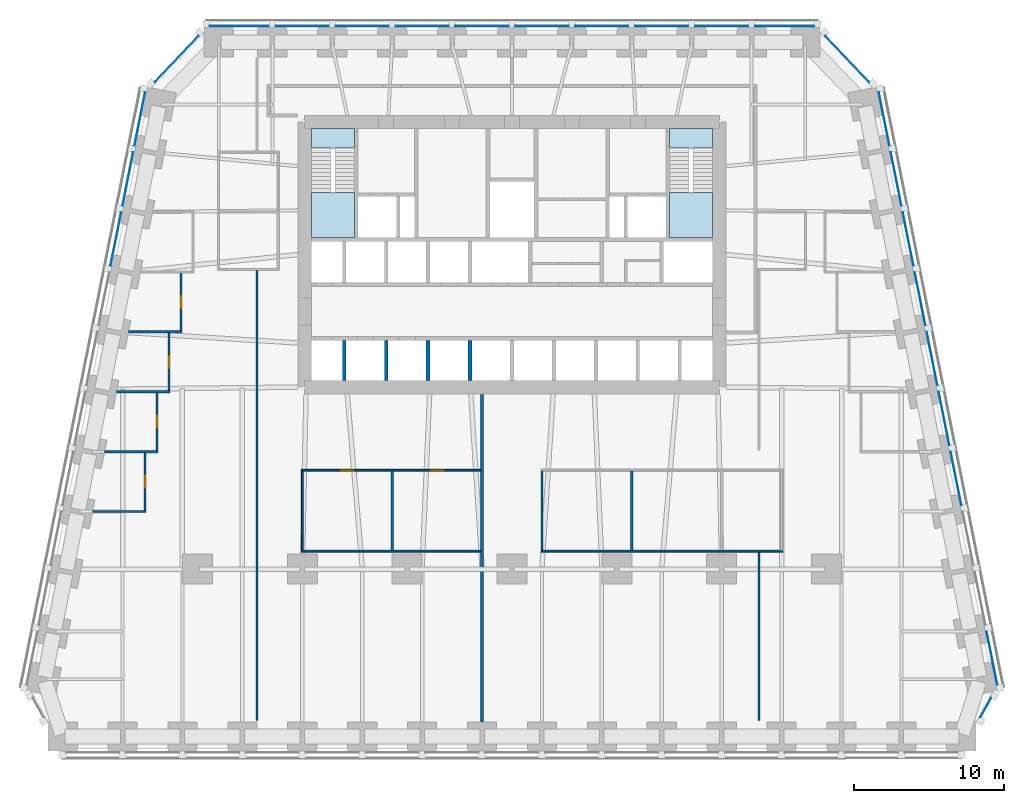
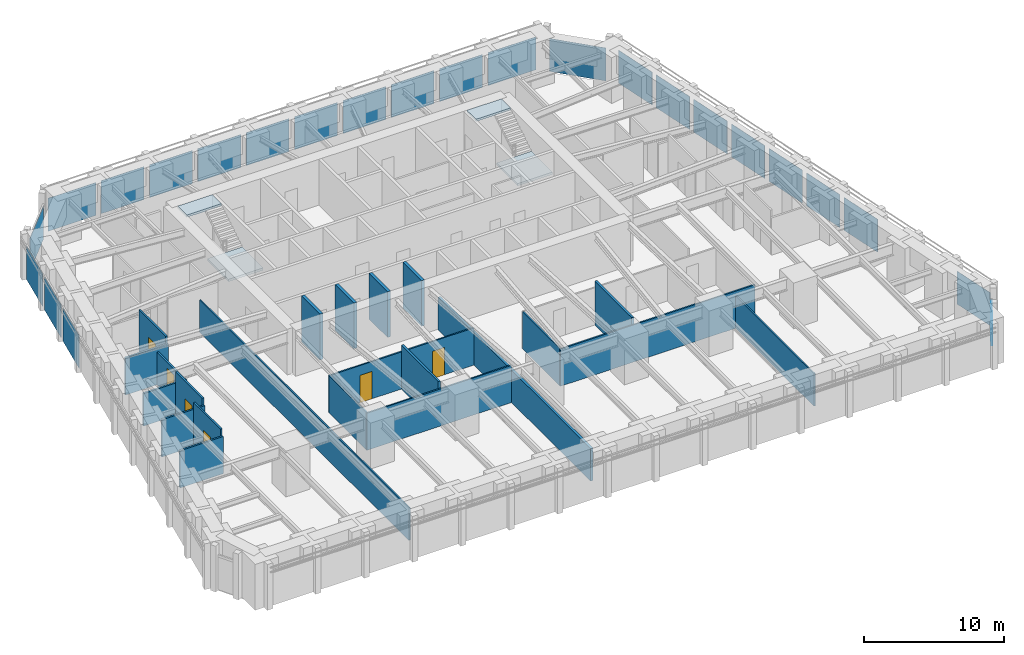
# One storey, part 5 of 10: 24 plates, 22 walls, 6 doors, 4 slabs, 6 openings, 8 elements without a shape of their own.
"""IFC4 building model written with IfcOpenShell, lengths in metres."""

from ifc_helpers import new_model, si_unit, direction, frame, frame_2d, origin, origin_2d, place, context, subcontext, project, spatial, polyline, rectangle, outline, extrude, material, layer, layer_set, type_object, element, fill, aggregate, save


model = new_model("IFC4")

# Units and contexts
model_context = context("Model", 3, precision=1e-05, world=origin(), true_north=direction((0.0, 1.0)))
body_context = subcontext(model_context, "Body", "Model", "MODEL_VIEW")
ifc_project = project(units=[si_unit("LENGTHUNIT", "METRE"), si_unit("AREAUNIT", "SQUARE_METRE"), si_unit("VOLUMEUNIT", "CUBIC_METRE"), si_unit("PLANEANGLEUNIT", "RADIAN"), si_unit("MASSUNIT", "GRAM", prefix="KILO")], contexts=[model_context])

# Site, building, storey
site_placement = place(None, origin())
site = spatial("IfcSite", under=ifc_project, at=site_placement, CompositionType="ELEMENT")
building_placement = place(site_placement, origin())
building = spatial("IfcBuilding", under=site, at=building_placement, Name="Isbrekke Arena Tower", CompositionType="ELEMENT")
storey_placement = place(building_placement, frame((0.0, 0.0, 60.0)))
storey = spatial("IfcBuildingStorey", under=building, at=storey_placement, Name="L12", CompositionType="ELEMENT", Elevation=60.0)

# Curtain wall, plate
ifc_material_1 = material(Name="Glazed aluminium curtain wall", Category="aluminium")
curtain_wall_type = type_object("IfcCurtainWallType", Name="CWL TOWER CURTAIN WALL LOW ZONE", PredefinedType="USERDEFINED", material=ifc_material_1)
curtain_wall_1_placement = place(storey_placement, origin())
curtain_wall_1 = element("IfcCurtainWall", 1, at=curtain_wall_1_placement, inside=storey, type_object=curtain_wall_type, Name="CWL curtain wall L12-SE", ObjectType="TOWER CURTAIN WALL LOW ZONE", PredefinedType="USERDEFINED")
ifc_material_2 = material(Name="Triple-glazed clear glass unit", Category="glass")
ifc_layer_1 = layer(ifc_material_2, 0.031982421875)
ifc_layer_set_1 = layer_set([ifc_layer_1], Name="CWL-P VISION PANEL")
plate_type = type_object("IfcPlateType", Name="CWL-P VISION PANEL", PredefinedType="CURTAIN_PANEL", material=ifc_layer_set_1)
plate_1_placement = place(storey_placement, frame((31.62744140625, -15.24853515625, 0.02001953125), z_axis=(0.0, 0.0, 1.0), x_axis=(0.481918749773, 0.876215908676, 0.0)))
plate_1 = element("IfcPlate", 2, at=plate_1_placement, type_object=plate_type, Name="CWL-P panel 1", PredefinedType="CURTAIN_PANEL", context=body_context, shape_type="SweptSolid", body=[
    extrude(rectangle(XDim=1.453369140625, YDim=0.031982421875, at=origin_2d()), origin(), (0.0, 0.0, 1.0), 2.8798828125),
])
aggregate(curtain_wall_1, [plate_1])

# Curtain wall, plates
curtain_wall_2_placement = place(storey_placement, origin())
curtain_wall_2 = element("IfcCurtainWall", 3, at=curtain_wall_2_placement, inside=storey, type_object=curtain_wall_type, Name="CWL curtain wall L12-E", ObjectType="TOWER CURTAIN WALL LOW ZONE", PredefinedType="USERDEFINED")
plate_2_placement = place(storey_placement, frame((32.045166015625, -11.950927734375, 0.02001953125), z_axis=(0.0, 0.0, 1.0), x_axis=(-0.196116135138, 0.980580675691, 0.0)))
plate_2 = element("IfcPlate", 4, at=plate_2_placement, type_object=plate_type, Name="CWL-P panel 1", PredefinedType="CURTAIN_PANEL", context=body_context, shape_type="SweptSolid", body=[
    extrude(rectangle(XDim=3.629150390625, YDim=0.031982421875, at=origin_2d()), origin(), (0.0, 0.0, 1.0), 2.8798828125),
])
plate_3_placement = place(storey_placement, frame((29.645263671875, 0.049072265625, 0.02001953125), z_axis=(0.0, 0.0, 1.0), x_axis=(-0.196116135138, 0.980580675691, 0.0)))
plate_3 = element("IfcPlate", 5, at=plate_3_placement, type_object=plate_type, Name="CWL-P panel 4", PredefinedType="CURTAIN_PANEL", context=body_context, shape_type="SweptSolid", body=[
    extrude(rectangle(XDim=3.629150390625, YDim=0.031982421875, at=origin_2d()), origin(), (0.0, 0.0, 1.0), 2.8798828125),
])
plate_4_placement = place(storey_placement, frame((28.84521484375, 4.049072265625, 0.02001953125), z_axis=(0.0, 0.0, 1.0), x_axis=(-0.196116135138, 0.980580675691, 0.0)))
plate_4 = element("IfcPlate", 6, at=plate_4_placement, type_object=plate_type, Name="CWL-P panel 5", PredefinedType="CURTAIN_PANEL", context=body_context, shape_type="SweptSolid", body=[
    extrude(rectangle(XDim=3.629150390625, YDim=0.031982421875, at=origin_2d()), origin(), (0.0, 0.0, 1.0), 2.8798828125),
])
plate_5_placement = place(storey_placement, frame((28.045166015625, 8.049072265625, 0.02001953125), z_axis=(0.0, 0.0, 1.0), x_axis=(-0.196116135138, 0.980580675691, 0.0)))
plate_5 = element("IfcPlate", 7, at=plate_5_placement, type_object=plate_type, Name="CWL-P panel 6", PredefinedType="CURTAIN_PANEL", context=body_context, shape_type="SweptSolid", body=[
    extrude(rectangle(XDim=3.629150390625, YDim=0.031982421875, at=origin_2d()), origin(), (0.0, 0.0, 1.0), 2.8798828125),
])
plate_6_placement = place(storey_placement, frame((27.2451171875, 12.049072265625, 0.02001953125), z_axis=(0.0, 0.0, 1.0), x_axis=(-0.196116135138, 0.980580675691, 0.0)))
plate_6 = element("IfcPlate", 8, at=plate_6_placement, type_object=plate_type, Name="CWL-P panel 7", PredefinedType="CURTAIN_PANEL", context=body_context, shape_type="SweptSolid", body=[
    extrude(rectangle(XDim=3.629150390625, YDim=0.031982421875, at=origin_2d()), origin(), (0.0, 0.0, 1.0), 2.8798828125),
])
plate_7_placement = place(storey_placement, frame((26.445068359375, 16.049072265625, 0.02001953125), z_axis=(0.0, 0.0, 1.0), x_axis=(-0.196116135138, 0.980580675691, 0.0)))
plate_7 = element("IfcPlate", 9, at=plate_7_placement, type_object=plate_type, Name="CWL-P panel 8", PredefinedType="CURTAIN_PANEL", context=body_context, shape_type="SweptSolid", body=[
    extrude(rectangle(XDim=3.629150390625, YDim=0.031982421875, at=origin_2d()), origin(), (0.0, 0.0, 1.0), 2.8798828125),
])
plate_8_placement = place(storey_placement, frame((25.645263671875, 20.049072265625, 0.02001953125), z_axis=(0.0, 0.0, 1.0), x_axis=(-0.196116135138, 0.980580675691, 0.0)))
plate_8 = element("IfcPlate", 10, at=plate_8_placement, type_object=plate_type, Name="CWL-P panel 9", PredefinedType="CURTAIN_PANEL", context=body_context, shape_type="SweptSolid", body=[
    extrude(rectangle(XDim=3.629150390625, YDim=0.031982421875, at=origin_2d()), origin(), (0.0, 0.0, 1.0), 2.8798828125),
])
plate_9_placement = place(storey_placement, frame((24.84521484375, 24.049072265625, 0.02001953125), z_axis=(0.0, 0.0, 1.0), x_axis=(-0.196116135138, 0.980580675691, 0.0)))
plate_9 = element("IfcPlate", 11, at=plate_9_placement, type_object=plate_type, Name="CWL-P panel 10", PredefinedType="CURTAIN_PANEL", context=body_context, shape_type="SweptSolid", body=[
    extrude(rectangle(XDim=3.629150390625, YDim=0.031982421875, at=origin_2d()), origin(), (0.0, 0.0, 1.0), 2.8798828125),
])
aggregate(curtain_wall_2, [plate_2, plate_3, plate_4, plate_5, plate_6, plate_7, plate_8, plate_9])

# Curtain wall, plate
curtain_wall_3_placement = place(storey_placement, origin())
curtain_wall_3 = element("IfcCurtainWall", 12, at=curtain_wall_3_placement, inside=storey, type_object=curtain_wall_type, Name="CWL curtain wall L12-EN", ObjectType="TOWER CURTAIN WALL LOW ZONE", PredefinedType="USERDEFINED")
plate_10_placement = place(storey_placement, frame((22.386474609375, 28.05419921875, 0.02001953125), z_axis=(0.0, 0.0, 1.0), x_axis=(-0.68874946192, 0.72499943359, 0.0)))
plate_10 = element("IfcPlate", 13, at=plate_10_placement, type_object=plate_type, Name="CWL-P panel 1", PredefinedType="CURTAIN_PANEL", context=body_context, shape_type="SweptSolid", body=[
    extrude(rectangle(XDim=4.22900390625, YDim=0.031982421875, at=origin_2d()), origin(), (0.0, 0.0, 1.0), 2.8798828125),
])
aggregate(curtain_wall_3, [plate_10])

# Curtain wall, plates
curtain_wall_4_placement = place(storey_placement, origin())
curtain_wall_4 = element("IfcCurtainWall", 14, at=curtain_wall_4_placement, inside=storey, type_object=curtain_wall_type, Name="CWL curtain wall L12-N", ObjectType="TOWER CURTAIN WALL LOW ZONE", PredefinedType="USERDEFINED")
plate_11_placement = place(storey_placement, frame((18.199951171875, 30.25, 0.02001953125), z_axis=(0.0, 0.0, 1.0), x_axis=(-1.0, 0.0, 0.0)))
plate_11 = element("IfcPlate", 15, at=plate_11_placement, type_object=plate_type, Name="CWL-P panel 1", PredefinedType="CURTAIN_PANEL", context=body_context, shape_type="SweptSolid", body=[
    extrude(rectangle(XDim=3.949951171875, YDim=0.031982421875, at=origin_2d()), origin(), (0.0, 0.0, 1.0), 2.8798828125),
])
plate_12_placement = place(storey_placement, frame((14.0, 30.25, 0.02001953125), z_axis=(0.0, 0.0, 1.0), x_axis=(-1.0, 0.0, 0.0)))
plate_12 = element("IfcPlate", 16, at=plate_12_placement, type_object=plate_type, Name="CWL-P panel 2", PredefinedType="CURTAIN_PANEL", context=body_context, shape_type="SweptSolid", body=[
    extrude(rectangle(XDim=3.550048828125, YDim=0.031982421875, at=origin_2d()), origin(), (0.0, 0.0, 1.0), 2.8798828125),
])
plate_13_placement = place(storey_placement, frame((10.0, 30.25, 0.02001953125), z_axis=(0.0, 0.0, 1.0), x_axis=(-1.0, 0.0, 0.0)))
plate_13 = element("IfcPlate", 17, at=plate_13_placement, type_object=plate_type, Name="CWL-P panel 3", PredefinedType="CURTAIN_PANEL", context=body_context, shape_type="SweptSolid", body=[
    extrude(rectangle(XDim=3.550048828125, YDim=0.031982421875, at=origin_2d()), origin(), (0.0, 0.0, 1.0), 2.8798828125),
])
plate_14_placement = place(storey_placement, frame((6.0, 30.25, 0.02001953125), z_axis=(0.0, 0.0, 1.0), x_axis=(-1.0, 0.0, 0.0)))
plate_14 = element("IfcPlate", 18, at=plate_14_placement, type_object=plate_type, Name="CWL-P panel 4", PredefinedType="CURTAIN_PANEL", context=body_context, shape_type="SweptSolid", body=[
    extrude(rectangle(XDim=3.550048828125, YDim=0.031982421875, at=origin_2d()), origin(), (0.0, 0.0, 1.0), 2.8798828125),
])
plate_15_placement = place(storey_placement, frame((2.0, 30.25, 0.02001953125), z_axis=(0.0, 0.0, 1.0), x_axis=(-1.0, 0.0, 0.0)))
plate_15 = element("IfcPlate", 19, at=plate_15_placement, type_object=plate_type, Name="CWL-P panel 5", PredefinedType="CURTAIN_PANEL", context=body_context, shape_type="SweptSolid", body=[
    extrude(rectangle(XDim=3.550048828125, YDim=0.031982421875, at=origin_2d()), origin(), (0.0, 0.0, 1.0), 2.8798828125),
])
plate_16_placement = place(storey_placement, frame((-2.0, 30.25, 0.02001953125), z_axis=(0.0, 0.0, 1.0), x_axis=(-1.0, 0.0, 0.0)))
plate_16 = element("IfcPlate", 20, at=plate_16_placement, type_object=plate_type, Name="CWL-P panel 6", PredefinedType="CURTAIN_PANEL", context=body_context, shape_type="SweptSolid", body=[
    extrude(rectangle(XDim=3.550048828125, YDim=0.031982421875, at=origin_2d()), origin(), (0.0, 0.0, 1.0), 2.8798828125),
])
plate_17_placement = place(storey_placement, frame((-6.0, 30.25, 0.02001953125), z_axis=(0.0, 0.0, 1.0), x_axis=(-1.0, 0.0, 0.0)))
plate_17 = element("IfcPlate", 21, at=plate_17_placement, type_object=plate_type, Name="CWL-P panel 7", PredefinedType="CURTAIN_PANEL", context=body_context, shape_type="SweptSolid", body=[
    extrude(rectangle(XDim=3.550048828125, YDim=0.031982421875, at=origin_2d()), origin(), (0.0, 0.0, 1.0), 2.8798828125),
])
plate_18_placement = place(storey_placement, frame((-10.0, 30.25, 0.02001953125), z_axis=(0.0, 0.0, 1.0), x_axis=(-1.0, 0.0, 0.0)))
plate_18 = element("IfcPlate", 22, at=plate_18_placement, type_object=plate_type, Name="CWL-P panel 8", PredefinedType="CURTAIN_PANEL", context=body_context, shape_type="SweptSolid", body=[
    extrude(rectangle(XDim=3.550048828125, YDim=0.031982421875, at=origin_2d()), origin(), (0.0, 0.0, 1.0), 2.8798828125),
])
plate_19_placement = place(storey_placement, frame((-14.0, 30.25, 0.02001953125), z_axis=(0.0, 0.0, 1.0), x_axis=(-1.0, 0.0, 0.0)))
plate_19 = element("IfcPlate", 23, at=plate_19_placement, type_object=plate_type, Name="CWL-P panel 9", PredefinedType="CURTAIN_PANEL", context=body_context, shape_type="SweptSolid", body=[
    extrude(rectangle(XDim=3.550048828125, YDim=0.031982421875, at=origin_2d()), origin(), (0.0, 0.0, 1.0), 2.8798828125),
])
plate_20_placement = place(storey_placement, frame((-18.199951171875, 30.25, 0.02001953125), z_axis=(0.0, 0.0, 1.0), x_axis=(-1.0, 0.0, 0.0)))
plate_20 = element("IfcPlate", 24, at=plate_20_placement, type_object=plate_type, Name="CWL-P panel 10", PredefinedType="CURTAIN_PANEL", context=body_context, shape_type="SweptSolid", body=[
    extrude(rectangle(XDim=3.949951171875, YDim=0.031982421875, at=origin_2d()), origin(), (0.0, 0.0, 1.0), 2.8798828125),
])
aggregate(curtain_wall_4, [plate_11, plate_12, plate_13, plate_14, plate_15, plate_16, plate_17, plate_18, plate_19, plate_20])

# Curtain wall, plate
curtain_wall_5_placement = place(storey_placement, origin())
curtain_wall_5 = element("IfcCurtainWall", 25, at=curtain_wall_5_placement, inside=storey, type_object=curtain_wall_type, Name="CWL curtain wall L12-NW", ObjectType="TOWER CURTAIN WALL LOW ZONE", PredefinedType="USERDEFINED")
plate_21_placement = place(storey_placement, frame((-22.38623046875, 28.054443359375, 0.02001953125), z_axis=(0.0, 0.0, 1.0), x_axis=(-0.68874946192, -0.72499943359, 0.0)))
plate_21 = element("IfcPlate", 26, at=plate_21_placement, type_object=plate_type, Name="CWL-P panel 1", PredefinedType="CURTAIN_PANEL", context=body_context, shape_type="SweptSolid", body=[
    extrude(rectangle(XDim=4.22802734375, YDim=0.031982421875, at=origin_2d()), origin(), (0.0, 0.0, 1.0), 2.8798828125),
])
aggregate(curtain_wall_5, [plate_21])

# Curtain wall, plates
curtain_wall_6_placement = place(storey_placement, origin())
curtain_wall_6 = element("IfcCurtainWall", 27, at=curtain_wall_6_placement, inside=storey, type_object=curtain_wall_type, Name="CWL curtain wall L12-W", ObjectType="TOWER CURTAIN WALL LOW ZONE", PredefinedType="USERDEFINED")
plate_22_placement = place(storey_placement, frame((-24.84521484375, 24.049072265625, 0.02001953125), z_axis=(0.0, 0.0, 1.0), x_axis=(-0.196116135138, -0.980580675691, 0.0)))
plate_22 = element("IfcPlate", 28, at=plate_22_placement, type_object=plate_type, Name="CWL-P panel 1", PredefinedType="CURTAIN_PANEL", context=body_context, shape_type="SweptSolid", body=[
    extrude(rectangle(XDim=3.629150390625, YDim=0.031982421875, at=origin_2d()), origin(), (0.0, 0.0, 1.0), 2.8798828125),
])
plate_23_placement = place(storey_placement, frame((-25.645263671875, 20.049072265625, 0.02001953125), z_axis=(0.0, 0.0, 1.0), x_axis=(-0.196116135138, -0.980580675691, 0.0)))
plate_23 = element("IfcPlate", 29, at=plate_23_placement, type_object=plate_type, Name="CWL-P panel 2", PredefinedType="CURTAIN_PANEL", context=body_context, shape_type="SweptSolid", body=[
    extrude(rectangle(XDim=3.629150390625, YDim=0.031982421875, at=origin_2d()), origin(), (0.0, 0.0, 1.0), 2.8798828125),
])
plate_24_placement = place(storey_placement, frame((-26.445068359375, 16.049072265625, 0.02001953125), z_axis=(0.0, 0.0, 1.0), x_axis=(-0.196116135138, -0.980580675691, 0.0)))
plate_24 = element("IfcPlate", 30, at=plate_24_placement, type_object=plate_type, Name="CWL-P panel 3", PredefinedType="CURTAIN_PANEL", context=body_context, shape_type="SweptSolid", body=[
    extrude(rectangle(XDim=3.629150390625, YDim=0.031982421875, at=origin_2d()), origin(), (0.0, 0.0, 1.0), 2.8798828125),
])
aggregate(curtain_wall_6, [plate_22, plate_23, plate_24])

# Stair, slabs
ifc_material_3 = material(Name="Concrete B45 (C45/55) precast", Category="concrete")
stair_type = type_object("IfcStairType", Name="ST40 STAIR 1300 WIDE, 24 RISERS 167", PredefinedType="HALF_TURN_STAIR", material=ifc_material_3)
stair_1_placement = place(storey_placement, origin())
stair_1 = element("IfcStair", 31, at=stair_1_placement, inside=storey, type_object=stair_type, Name="ST1 stair L12", PredefinedType="HALF_TURN_STAIR")
ifc_material_4 = material(Name="Concrete B35 (C35/45)", Category="concrete")
ifc_layer_2 = layer(ifc_material_4, 0.199951171875)
ifc_layer_set_2 = layer_set([ifc_layer_2], Name="SL1 STAIR LANDING 200")
slab_type = type_object("IfcSlabType", Name="SL1 STAIR LANDING 200", PredefinedType="LANDING", material=ifc_layer_set_2)
slab_1_placement = place(storey_placement, frame((0.0, 0.0, 1.800048828125)))
slab_1 = element("IfcSlab", 32, at=slab_1_placement, type_object=slab_type, Name="ST1 landing 1", PredefinedType="LANDING", context=body_context, shape_type="SweptSolid", body=[
    extrude(outline(polyline([(-13.39990234375, 16.125), (-10.52490234375, 16.125), (-10.52490234375, 19.1298828125), (-13.39990234375, 19.1298828125), (-13.39990234375, 16.125)])), origin(), (0.0, 0.0, 1.0), 0.199951171875),
])
slab_2_placement = place(storey_placement, frame((0.0, 0.0, 3.800048828125)))
slab_2 = element("IfcSlab", 33, at=slab_2_placement, type_object=slab_type, Name="ST1 landing 2", PredefinedType="LANDING", context=body_context, shape_type="SweptSolid", body=[
    extrude(outline(polyline([(-13.39990234375, 22.10009765625), (-10.52490234375, 22.10009765625), (-10.52490234375, 23.39990234375), (-13.39990234375, 23.39990234375), (-13.39990234375, 22.10009765625)])), origin(), (0.0, 0.0, 1.0), 0.199951171875),
])
aggregate(stair_1, [slab_1, slab_2])

stair_2_placement = place(storey_placement, origin())
stair_2 = element("IfcStair", 34, at=stair_2_placement, inside=storey, type_object=stair_type, Name="ST2 stair L12", PredefinedType="HALF_TURN_STAIR")
slab_3_placement = place(storey_placement, frame((0.0, 0.0, 1.800048828125)))
slab_3 = element("IfcSlab", 35, at=slab_3_placement, type_object=slab_type, Name="ST2 landing 1", PredefinedType="LANDING", context=body_context, shape_type="SweptSolid", body=[
    extrude(outline(polyline([(10.52490234375, 16.125), (13.39990234375, 16.125), (13.39990234375, 19.1298828125), (10.52490234375, 19.1298828125), (10.52490234375, 16.125)])), origin(), (0.0, 0.0, 1.0), 0.199951171875),
])
slab_4_placement = place(storey_placement, frame((0.0, 0.0, 3.800048828125)))
slab_4 = element("IfcSlab", 36, at=slab_4_placement, type_object=slab_type, Name="ST2 landing 2", PredefinedType="LANDING", context=body_context, shape_type="SweptSolid", body=[
    extrude(outline(polyline([(10.52490234375, 22.10009765625), (13.39990234375, 22.10009765625), (13.39990234375, 23.39990234375), (10.52490234375, 23.39990234375), (10.52490234375, 22.10009765625)])), origin(), (0.0, 0.0, 1.0), 0.199951171875),
])
aggregate(stair_2, [slab_3, slab_4])

# Walls
ifc_material_5 = material(Name="Concrete B45 (C45/55)", Category="concrete")
ifc_layer_3 = layer(ifc_material_5, 0.25)
ifc_layer_set_3 = layer_set([ifc_layer_3], Name="CW6 SHAFT WALL 250")
wall_type_1 = type_object("IfcWallType", Name="CW6 SHAFT WALL 250", PredefinedType="SHEAR", material=ifc_layer_set_3)
for number, where, z_axis, x_axis, name in (
    (37, (-11.199951171875, 6.60009765625, 0.0), (0.0, 0.0, 1.0), (0.0, 1.0, 0.0), "Core wall SS01 L12"),
    (38, (-8.39990234375, 6.60009765625, 0.0), (0.0, 0.0, 1.0), (0.0, 1.0, 0.0), "Core wall SS02 L12"),
    (39, (-5.60009765625, 6.60009765625, 0.0), (0.0, 0.0, 1.0), (0.0, 1.0, 0.0), "Core wall SS03 L12"),
    (40, (-2.800048828125, 6.60009765625, 0.0), (0.0, 0.0, 1.0), (0.0, 1.0, 0.0), "Core wall SS04 L12"),
):
    element("IfcWall", number, at=place(storey_placement, frame(where, z_axis=z_axis, x_axis=x_axis)), inside=storey, type_object=wall_type_1, Name=name, PredefinedType="SHEAR", context=body_context, shape_type="SweptSolid", body=[
        extrude(rectangle(XDim=2.6748046875, YDim=0.25, at=frame_2d((1.33740234375, 0.0))), origin(), (0.0, 0.0, 1.0), 4.0),
    ])
ifc_material_6 = material(Name="Gypsum board partition on steel studs", Category="steel")
ifc_layer_4 = layer(ifc_material_6, 0.14990234375)
ifc_layer_set_4 = layer_set([ifc_layer_4], Name="IW1 PARTITION 150")
wall_type_2 = type_object("IfcWallType", Name="IW1 PARTITION 150", PredefinedType="PARTITIONING", material=ifc_layer_set_4)
for number, where, z_axis, x_axis, name in (
    (41, (-27.996337890625, -2.159912109375, 0.0), (0.0, 0.0, 1.0), (1.0, 0.0, 0.0), "IW1 partition 150 L12"),
    (42, (-27.1962890625, 1.840087890625, 0.0), (0.0, 0.0, 1.0), (1.0, 0.0, 0.0), "IW1 partition 150 L12"),
):
    element("IfcWall", number, at=place(storey_placement, frame(where, z_axis=z_axis, x_axis=x_axis)), inside=storey, type_object=wall_type_2, Name=name, PredefinedType="PARTITIONING", context=body_context, shape_type="SweptSolid", body=[
        extrude(rectangle(XDim=3.5712890625, YDim=0.14990234375, at=frame_2d((1.78564453125, 0.0))), origin(), (0.0, 0.0, 1.0), 3.25),
    ])
wall_1_placement = place(storey_placement, frame((-26.396484375, 5.840087890625, 0.0), z_axis=(0.0, 0.0, 1.0), x_axis=(1.0, 0.0, 0.0)))
element("IfcWall", 43, at=wall_1_placement, inside=storey, type_object=wall_type_2, Name="IW1 partition 150 L12", PredefinedType="PARTITIONING", context=body_context, shape_type="SweptSolid", body=[
    extrude(rectangle(XDim=3.571533203125, YDim=0.14990234375, at=frame_2d((1.78564453125, 0.0))), origin(), (0.0, 0.0, 1.0), 2.842041015625),
])
wall_2_placement = place(storey_placement, frame((-25.596435546875, 9.840087890625, 0.0), z_axis=(0.0, 0.0, 1.0), x_axis=(1.0, 0.0, 0.0)))
element("IfcWall", 44, at=wall_2_placement, inside=storey, type_object=wall_type_2, Name="IW1 partition 150 L12", PredefinedType="PARTITIONING", context=body_context, shape_type="SweptSolid", body=[
    extrude(rectangle(XDim=3.571533203125, YDim=0.14990234375, at=frame_2d((1.78564453125, 0.0))), origin(), (0.0, 0.0, 1.0), 3.25),
])

# Wall, opening, door
wall_3_placement = place(storey_placement, frame((-24.5, -2.0849609375, 0.0), z_axis=(0.0, 0.0, 1.0), x_axis=(0.0, 1.0, 0.0)))
wall_3 = element("IfcWall", 45, at=wall_3_placement, inside=storey, type_object=wall_type_2, Name="IW1 partition 150 L12", PredefinedType="PARTITIONING", context=body_context, shape_type="SweptSolid", body=[
    extrude(rectangle(XDim=3.849853515625, YDim=0.14990234375, at=frame_2d((1.9248046875, 0.0))), origin(), (0.0, 0.0, 1.0), 3.85009765625),
])
opening_1_placement = place(wall_3_placement, frame((1.425048828125, 0.0, 0.0)))
opening_1 = element("IfcOpeningElement", 46, at=opening_1_placement, cuts=wall_3, Name="Opening D10", PredefinedType="OPENING", context=body_context, shape_type="SweptSolid", body=[
    extrude(rectangle(XDim=1.0, YDim=2.300048828125, at=frame_2d((0.5, 1.14990234375))), frame((0.0, 0.08984375, 0.0), z_axis=(0.0, -1.0, 0.0), x_axis=(1.0, 0.0, 0.0)), (0.0, 0.0, 1.0), 0.1796875),
])
ifc_material_7 = material(Name="Timber door", Category="wood")
door_type_1 = type_object("IfcDoorType", Name="D10 OFFICE DOOR 1000 x 2300", OperationType="SINGLE_SWING_LEFT", PredefinedType="DOOR", material=ifc_material_7)
door_1_placement = place(opening_1_placement, origin())
door_1 = element("IfcDoor", 47, at=door_1_placement, inside=storey, type_object=door_type_1, Name="D10 office door L12", OperationType="SINGLE_SWING_LEFT", OverallHeight=2.300048828125, OverallWidth=1.0, PredefinedType="DOOR", context=body_context, shape_type="SweptSolid", body=[
    extrude(rectangle(XDim=1.0, YDim=2.300048828125, at=frame_2d((0.5, 1.14990234375))), frame((0.0, 0.07470703125, 0.0), z_axis=(0.0, -1.0, 0.0), x_axis=(1.0, 0.0, 0.0)), (0.0, 0.0, 1.0), 0.1494140625),
])
fill(opening_1, door_1)

wall_4_placement = place(storey_placement, frame((-23.699951171875, 1.9150390625, 0.0), z_axis=(0.0, 0.0, 1.0), x_axis=(0.0, 1.0, 0.0)))
wall_4 = element("IfcWall", 48, at=wall_4_placement, inside=storey, type_object=wall_type_2, Name="IW1 partition 150 L12", PredefinedType="PARTITIONING", context=body_context, shape_type="SweptSolid", body=[
    extrude(rectangle(XDim=3.849853515625, YDim=0.14990234375, at=frame_2d((1.9248046875, 0.0))), origin(), (0.0, 0.0, 1.0), 3.85009765625),
])
opening_2_placement = place(wall_4_placement, frame((1.425048828125, 0.0, 0.0)))
opening_2 = element("IfcOpeningElement", 49, at=opening_2_placement, cuts=wall_4, Name="Opening D10", PredefinedType="OPENING", context=body_context, shape_type="SweptSolid", body=[
    extrude(rectangle(XDim=1.0, YDim=2.300048828125, at=frame_2d((0.5, 1.14990234375))), frame((0.0, 0.08984375, 0.0), z_axis=(0.0, -1.0, 0.0), x_axis=(1.0, 0.0, 0.0)), (0.0, 0.0, 1.0), 0.1796875),
])
door_2_placement = place(opening_2_placement, origin())
door_2 = element("IfcDoor", 50, at=door_2_placement, inside=storey, type_object=door_type_1, Name="D10 office door L12", OperationType="SINGLE_SWING_LEFT", OverallHeight=2.300048828125, OverallWidth=1.0, PredefinedType="DOOR", context=body_context, shape_type="SweptSolid", body=[
    extrude(rectangle(XDim=1.0, YDim=2.300048828125, at=frame_2d((0.5, 1.14990234375))), frame((0.0, 0.07470703125, 0.0), z_axis=(0.0, -1.0, 0.0), x_axis=(1.0, 0.0, 0.0)), (0.0, 0.0, 1.0), 0.1494140625),
])
fill(opening_2, door_2)

wall_5_placement = place(storey_placement, frame((-22.89990234375, 5.9150390625, 0.0), z_axis=(0.0, 0.0, 1.0), x_axis=(0.0, 1.0, 0.0)))
wall_5 = element("IfcWall", 51, at=wall_5_placement, inside=storey, type_object=wall_type_2, Name="IW1 partition 150 L12", PredefinedType="PARTITIONING", context=body_context, shape_type="SweptSolid", body=[
    extrude(rectangle(XDim=3.849853515625, YDim=0.14990234375, at=frame_2d((1.9248046875, 0.0))), origin(), (0.0, 0.0, 1.0), 2.842041015625),
])
opening_3_placement = place(wall_5_placement, frame((1.425048828125, 0.0, 0.0)))
opening_3 = element("IfcOpeningElement", 52, at=opening_3_placement, cuts=wall_5, Name="Opening D10", PredefinedType="OPENING", context=body_context, shape_type="SweptSolid", body=[
    extrude(rectangle(XDim=1.0, YDim=2.300048828125, at=frame_2d((0.5, 1.14990234375))), frame((0.0, 0.08984375, 0.0), z_axis=(0.0, -1.0, 0.0), x_axis=(1.0, 0.0, 0.0)), (0.0, 0.0, 1.0), 0.1796875),
])
door_3_placement = place(opening_3_placement, origin())
door_3 = element("IfcDoor", 53, at=door_3_placement, inside=storey, type_object=door_type_1, Name="D10 office door L12", OperationType="SINGLE_SWING_LEFT", OverallHeight=2.300048828125, OverallWidth=1.0, PredefinedType="DOOR", context=body_context, shape_type="SweptSolid", body=[
    extrude(rectangle(XDim=1.0, YDim=2.300048828125, at=frame_2d((0.5, 1.14990234375))), frame((0.0, 0.07470703125, 0.0), z_axis=(0.0, -1.0, 0.0), x_axis=(1.0, 0.0, 0.0)), (0.0, 0.0, 1.0), 0.1494140625),
])
fill(opening_3, door_3)

wall_6_placement = place(storey_placement, frame((-22.10009765625, 9.9150390625, 0.0), z_axis=(0.0, 0.0, 1.0), x_axis=(0.0, 1.0, 0.0)))
wall_6 = element("IfcWall", 54, at=wall_6_placement, inside=storey, type_object=wall_type_2, Name="IW1 partition 150 L12", PredefinedType="PARTITIONING", context=body_context, shape_type="SweptSolid", body=[
    extrude(rectangle(XDim=3.849853515625, YDim=0.14990234375, at=frame_2d((1.9248046875, 0.0))), origin(), (0.0, 0.0, 1.0), 3.85009765625),
])
opening_4_placement = place(wall_6_placement, frame((1.425048828125, 0.0, 0.0)))
opening_4 = element("IfcOpeningElement", 55, at=opening_4_placement, cuts=wall_6, Name="Opening D10", PredefinedType="OPENING", context=body_context, shape_type="SweptSolid", body=[
    extrude(rectangle(XDim=1.0, YDim=2.300048828125, at=frame_2d((0.5, 1.14990234375))), frame((0.0, 0.08984375, 0.0), z_axis=(0.0, -1.0, 0.0), x_axis=(1.0, 0.0, 0.0)), (0.0, 0.0, 1.0), 0.1796875),
])
door_4_placement = place(opening_4_placement, origin())
door_4 = element("IfcDoor", 56, at=door_4_placement, inside=storey, type_object=door_type_1, Name="D10 office door L12", OperationType="SINGLE_SWING_LEFT", OverallHeight=2.300048828125, OverallWidth=1.0, PredefinedType="DOOR", context=body_context, shape_type="SweptSolid", body=[
    extrude(rectangle(XDim=1.0, YDim=2.300048828125, at=frame_2d((0.5, 1.14990234375))), frame((0.0, 0.07470703125, 0.0), z_axis=(0.0, -1.0, 0.0), x_axis=(1.0, 0.0, 0.0)), (0.0, 0.0, 1.0), 0.1494140625),
])
fill(opening_4, door_4)

# Walls
ifc_material_8 = material(Name="Frameless glazed partition, laminated acoustic glass", Category="glass")
ifc_layer_5 = layer(ifc_material_8, 0.1201171875)
ifc_layer_set_5 = layer_set([ifc_layer_5], Name="IW2 GLAZED PARTITION 120")
wall_type_3 = type_object("IfcWallType", Name="IW2 GLAZED PARTITION 120", PredefinedType="PARTITIONING", material=ifc_layer_set_5)
wall_7_placement = place(storey_placement, frame((-14.06005859375, -4.800048828125, 0.0), z_axis=(0.0, 0.0, 1.0), x_axis=(1.0, 0.0, 0.0)))
element("IfcWall", 57, at=wall_7_placement, inside=storey, type_object=wall_type_3, Name="IW2 glazed partition 120 L12", PredefinedType="PARTITIONING", context=body_context, shape_type="SweptSolid", body=[
    extrude(rectangle(XDim=11.9599609375, YDim=0.1201171875, at=frame_2d((5.97998046875, 0.0))), origin(), (0.0, 0.0, 1.0), 3.25),
])
wall_8_placement = place(storey_placement, frame((1.93994140625, -4.800048828125, 0.0), z_axis=(0.0, 0.0, 1.0), x_axis=(1.0, 0.0, 0.0)))
element("IfcWall", 58, at=wall_8_placement, inside=storey, type_object=wall_type_3, Name="IW2 glazed partition 120 L12", PredefinedType="PARTITIONING", context=body_context, shape_type="SweptSolid", body=[
    extrude(rectangle(XDim=16.1201171875, YDim=0.1201171875, at=frame_2d((8.06005859375, 0.0))), origin(), (0.0, 0.0, 1.0), 3.25),
])

# Wall, openings, doors
wall_9_placement = place(storey_placement, frame((-14.06005859375, 0.60009765625, 0.0), z_axis=(0.0, 0.0, 1.0), x_axis=(1.0, 0.0, 0.0)))
wall_9 = element("IfcWall", 59, at=wall_9_placement, inside=storey, type_object=wall_type_3, Name="IW2 glazed partition 120 L12", PredefinedType="PARTITIONING", context=body_context, shape_type="SweptSolid", body=[
    extrude(rectangle(XDim=11.9599609375, YDim=0.1201171875, at=frame_2d((5.97998046875, 0.0))), origin(), (0.0, 0.0, 1.0), 3.25),
])
opening_5_placement = place(wall_9_placement, frame((2.56005859375, 0.0, 0.0)))
opening_5 = element("IfcOpeningElement", 60, at=opening_5_placement, cuts=wall_9, Name="Opening D11", PredefinedType="OPENING", context=body_context, shape_type="SweptSolid", body=[
    extrude(rectangle(XDim=1.0, YDim=2.39990234375, at=frame_2d((0.5, 1.199951171875))), frame((0.0, 0.074951171875, 0.0), z_axis=(0.0, -1.0, 0.0), x_axis=(1.0, 0.0, 0.0)), (0.0, 0.0, 1.0), 0.14990234375),
])
opening_6_placement = place(wall_9_placement, frame((8.56005859375, 0.0, 0.0)))
opening_6 = element("IfcOpeningElement", 61, at=opening_6_placement, cuts=wall_9, Name="Opening D11", PredefinedType="OPENING", context=body_context, shape_type="SweptSolid", body=[
    extrude(rectangle(XDim=1.0, YDim=2.39990234375, at=frame_2d((0.5, 1.199951171875))), frame((0.0, 0.074951171875, 0.0), z_axis=(0.0, -1.0, 0.0), x_axis=(1.0, 0.0, 0.0)), (0.0, 0.0, 1.0), 0.14990234375),
])
ifc_material_9 = material(Name="Frameless glazed door", Category="glass")
door_type_2 = type_object("IfcDoorType", Name="D11 GLAZED MEETING ROOM DOOR 1000 x 2400", OperationType="SINGLE_SWING_RIGHT", PredefinedType="DOOR", material=ifc_material_9)
door_5_placement = place(opening_5_placement, origin())
door_5 = element("IfcDoor", 62, at=door_5_placement, inside=storey, type_object=door_type_2, Name="D11 meeting room door L12", OperationType="SINGLE_SWING_RIGHT", OverallHeight=2.39990234375, OverallWidth=1.0, PredefinedType="DOOR", context=body_context, shape_type="SweptSolid", body=[
    extrude(rectangle(XDim=1.0, YDim=2.39990234375, at=frame_2d((0.5, 1.199951171875))), frame((0.0, 0.059814453125, 0.0), z_axis=(0.0, -1.0, 0.0), x_axis=(1.0, 0.0, 0.0)), (0.0, 0.0, 1.0), 0.11962890625),
])
fill(opening_5, door_5)
door_6_placement = place(opening_6_placement, origin())
door_6 = element("IfcDoor", 63, at=door_6_placement, inside=storey, type_object=door_type_2, Name="D11 meeting room door L12", OperationType="SINGLE_SWING_RIGHT", OverallHeight=2.39990234375, OverallWidth=1.0, PredefinedType="DOOR", context=body_context, shape_type="SweptSolid", body=[
    extrude(rectangle(XDim=1.0, YDim=2.39990234375, at=frame_2d((0.5, 1.199951171875))), frame((0.0, 0.059814453125, 0.0), z_axis=(0.0, -1.0, 0.0), x_axis=(1.0, 0.0, 0.0)), (0.0, 0.0, 1.0), 0.11962890625),
])
fill(opening_6, door_6)

# Walls
for number, where, z_axis, x_axis, name in (
    (64, (-14.0, -4.739990234375, 0.0), (0.0, 0.0, 1.0), (0.0, 1.0, 0.0), "IW2 glazed partition 120 L12"),
    (65, (2.0, -4.739990234375, 0.0), (0.0, 0.0, 1.0), (0.0, 1.0, 0.0), "IW2 glazed partition 120 L12"),
):
    element("IfcWall", number, at=place(storey_placement, frame(where, z_axis=z_axis, x_axis=x_axis)), inside=storey, type_object=wall_type_3, Name=name, PredefinedType="PARTITIONING", context=body_context, shape_type="SweptSolid", body=[
        extrude(rectangle(XDim=5.280029296875, YDim=0.1201171875, at=frame_2d((2.64013671875, 0.0))), origin(), (0.0, 0.0, 1.0), 3.25),
    ])
wall_10_placement = place(storey_placement, frame((-17.01904296875, -16.10009765625, 0.0), z_axis=(0.0, 0.0, 1.0), x_axis=(0.0, 1.0, 0.0)))
element("IfcWall", 66, at=wall_10_placement, inside=storey, type_object=wall_type_3, Name="IW2 glazed partition 120 L12", PredefinedType="PARTITIONING", context=body_context, shape_type="SweptSolid", body=[
    extrude(rectangle(XDim=30.005126953125, YDim=0.1201171875, at=frame_2d((15.00244140625, 0.0))), origin(), (0.0, 0.0, 1.0), 2.842041015625),
])
wall_11_placement = place(storey_placement, frame((16.490966796875, -16.10009765625, 0.0), z_axis=(0.0, 0.0, 1.0), x_axis=(0.0, 1.0, 0.0)))
element("IfcWall", 67, at=wall_11_placement, inside=storey, type_object=wall_type_3, Name="IW2 glazed partition 120 L12", PredefinedType="PARTITIONING", context=body_context, shape_type="SweptSolid", body=[
    extrude(rectangle(XDim=11.22021484375, YDim=0.1201171875, at=frame_2d((5.610107421875, 0.0))), origin(), (0.0, 0.0, 1.0), 2.842041015625),
])
ifc_material_10 = material(Name="Gypsum board fire-cell wall on steel studs, two layers each side", Category="steel")
ifc_layer_6 = layer(ifc_material_10, 0.199951171875)
ifc_layer_set_6 = layer_set([ifc_layer_6], Name="IW3 FIRE-CELL WALL 200")
wall_type_4 = type_object("IfcWallType", Name="IW3 FIRE-CELL WALL 200", PredefinedType="PARTITIONING", material=ifc_layer_set_6)
wall_12_placement = place(storey_placement, frame((-2.0, -16.199951171875, 0.0), z_axis=(0.0, 0.0, 1.0), x_axis=(0.0, 1.0, 0.0)))
element("IfcWall", 68, at=wall_12_placement, inside=storey, type_object=wall_type_4, Name="IW3 fire-cell wall 200 L12", PredefinedType="PARTITIONING", context=body_context, shape_type="SweptSolid", body=[
    extrude(rectangle(XDim=21.869873046875, YDim=0.199951171875, at=frame_2d((10.93505859375, 0.0))), origin(), (0.0, 0.0, 1.0), 2.842041015625),
])
ifc_material_11 = material(Name="Gypsum board acoustic partition on twin steel studs", Category="steel")
ifc_layer_7 = layer(ifc_material_11, 0.175048828125)
ifc_layer_set_7 = layer_set([ifc_layer_7], Name="IW4 ACOUSTIC PARTITION 175")
wall_type_5 = type_object("IfcWallType", Name="IW4 ACOUSTIC PARTITION 175", PredefinedType="PARTITIONING", material=ifc_layer_set_7)
for number, where, z_axis, x_axis, name in (
    (69, (-8.0, -4.739990234375, 0.0), (0.0, 0.0, 1.0), (0.0, 1.0, 0.0), "IW4 acoustic partition 175 L12"),
    (70, (8.0, -4.739990234375, 0.0), (0.0, 0.0, 1.0), (0.0, 1.0, 0.0), "IW4 acoustic partition 175 L12"),
):
    element("IfcWall", number, at=place(storey_placement, frame(where, z_axis=z_axis, x_axis=x_axis)), inside=storey, type_object=wall_type_5, Name=name, PredefinedType="PARTITIONING", context=body_context, shape_type="SweptSolid", body=[
        extrude(rectangle(XDim=5.280029296875, YDim=0.175048828125, at=frame_2d((2.64013671875, 0.0))), origin(), (0.0, 0.0, 1.0), 3.85009765625),
    ])

save(model, "model.ifc")
